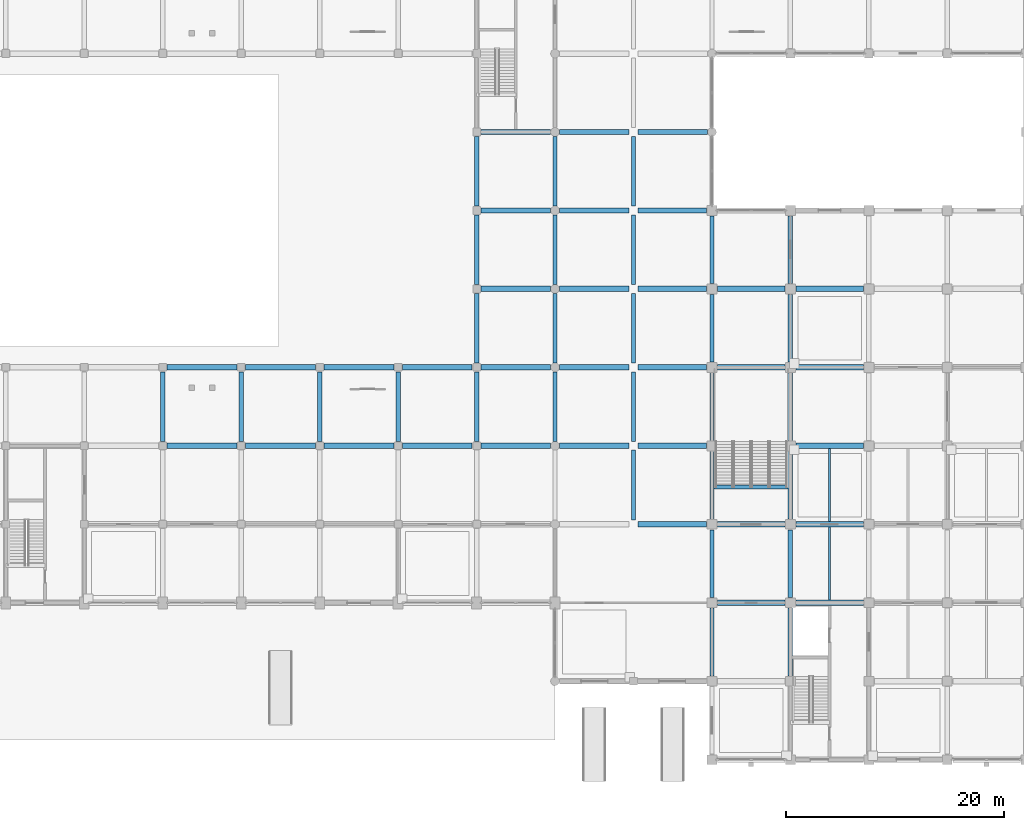
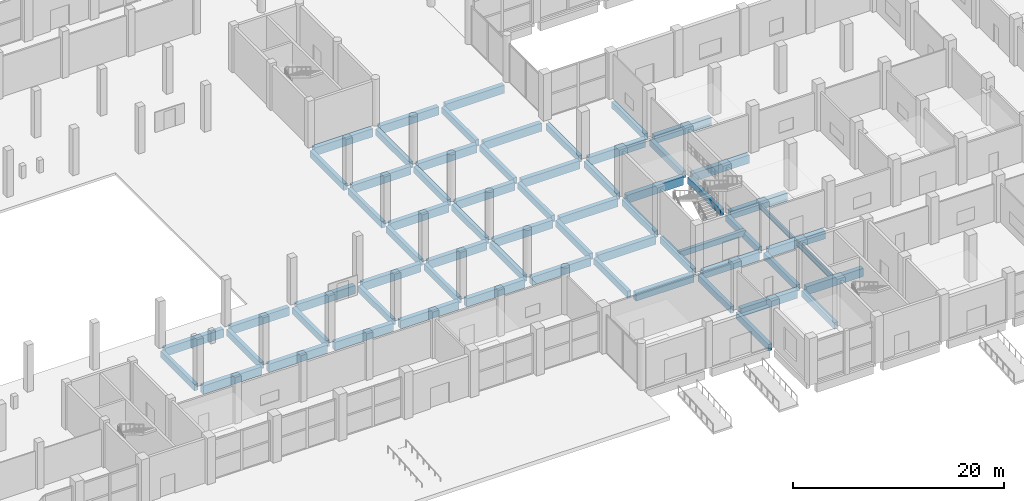
# One storey, part 15 of 70: 65 beams.
"""IFC4 building model written with IfcOpenShell, lengths in metres."""

from ifc_helpers import new_model, si_unit, direction, frame, origin, origin_2d, place, context, subcontext, project, spatial, rectangle, i_section, extrude, material, material_profile, profile_set, type_object, element, save


model = new_model("IFC4")

# Units and contexts
model_context = context("Model", 3, precision=1e-05, world=origin(), true_north=direction((0.0, 1.0)))
body_context = subcontext(model_context, "Body", "Model", "MODEL_VIEW")
ifc_project = project(units=[si_unit("LENGTHUNIT", "METRE"), si_unit("AREAUNIT", "SQUARE_METRE"), si_unit("VOLUMEUNIT", "CUBIC_METRE"), si_unit("PLANEANGLEUNIT", "RADIAN"), si_unit("MASSUNIT", "GRAM", prefix="KILO")], contexts=[model_context])

# Site, building, storey
site_placement = place(None, origin())
site = spatial("IfcSite", under=ifc_project, at=site_placement, CompositionType="ELEMENT")
building_placement = place(site_placement, origin())
building = spatial("IfcBuilding", under=site, at=building_placement, Name="Vesperath Aquatics Centre", CompositionType="ELEMENT")
storey_placement = place(building_placement, origin())
storey = spatial("IfcBuildingStorey", under=building, at=storey_placement, Name="L00", CompositionType="ELEMENT", Elevation=0.0)

# Beams
ifc_material_1 = material(Name="Concrete C40", Category="concrete")
ifc_material_profile_1 = material_profile(ifc_material_1, rectangle(XDim=0.5, YDim=0.949951171875, at=origin_2d()), Name="RC 500x950")
ifc_profile_set_1 = profile_set([ifc_material_profile_1], Name="Concrete C40")
beam_type_1 = type_object("IfcBeamType", Name="BM-G02", PredefinedType="BEAM", material=ifc_profile_set_1)
for number, where, z_axis, x_axis, name in (
    (1, (65.199951171875, 28.800048828125, -0.7548828125), (1.0, 0.0, 0.0), (0.0, 1.0, 0.0), "Floor Girder B02 L00 E 10-11"),
    (2, (65.199951171875, 36.0, -0.7548828125), (1.0, 0.0, 0.0), (0.0, 1.0, 0.0), "Floor Girder B02 L00 F 10-11"),
    (3, (72.39990234375, 28.800048828125, -0.7548828125), (1.0, 0.0, 0.0), (0.0, 1.0, 0.0), "Floor Girder B02 L00 E 11-12"),
    (4, (72.39990234375, 36.0, -0.7548828125), (1.0, 0.0, 0.0), (0.0, 1.0, 0.0), "Floor Girder B02 L00 F 11-12"),
):
    element("IfcBeam", number, at=place(storey_placement, frame(where, z_axis=z_axis, x_axis=x_axis)), inside=storey, type_object=beam_type_1, Name=name, PredefinedType="BEAM", context=body_context, shape_type="SweptSolid", body=[
        extrude(rectangle(XDim=0.5, YDim=0.949951171875, at=origin_2d()), origin(), (0.0, 0.0, 1.0), 6.400146484375),
    ])
for number, where, z_axis, x_axis, name in (
    (5, (79.60009765625, 28.800048828125, -0.7548828125), (1.0, 0.0, 0.0), (0.0, 1.0, 0.0), "Floor Girder B02 L00 E 12-13"),
    (6, (79.60009765625, 36.0, -0.7548828125), (1.0, 0.0, 0.0), (0.0, 1.0, 0.0), "Floor Girder B02 L00 F 12-13"),
    (7, (86.800048828125, 28.800048828125, -0.7548828125), (1.0, 0.0, 0.0), (0.0, 1.0, 0.0), "Floor Girder B02 L00 E 13-14"),
    (8, (86.800048828125, 36.0, -0.7548828125), (1.0, 0.0, 0.0), (0.0, 1.0, 0.0), "Floor Girder B02 L00 F 13-14"),
    (9, (94.0, 28.800048828125, -0.7548828125), (1.0, 0.0, 0.0), (0.0, 1.0, 0.0), "Floor Girder B02 L00 E 14-15"),
    (10, (94.0, 36.0, -0.7548828125), (1.0, 0.0, 0.0), (0.0, 1.0, 0.0), "Floor Girder B02 L00 F 14-15"),
    (11, (94.0, 43.199951171875, -0.7548828125), (1.0, 0.0, 0.0), (0.0, 1.0, 0.0), "Floor Girder B02 L00 G 14-15"),
    (12, (94.0, 50.39990234375, -0.7548828125), (1.0, 0.0, 0.0), (0.0, 1.0, 0.0), "Floor Girder B02 L00 H 14-15"),
    (13, (94.0, 57.60009765625, -0.7548828125), (1.0, 0.0, 0.0), (0.0, 1.0, 0.0), "Floor Girder B02 L00 J 14-15"),
):
    element("IfcBeam", number, at=place(storey_placement, frame(where, z_axis=z_axis, x_axis=x_axis)), inside=storey, type_object=beam_type_1, Name=name, PredefinedType="BEAM", context=body_context, shape_type="SweptSolid", body=[
        extrude(rectangle(XDim=0.5, YDim=0.949951171875, at=origin_2d()), origin(), (0.0, 0.0, 1.0), 6.39990234375),
    ])
for number, where, z_axis, x_axis, name in (
    (14, (101.199951171875, 28.800048828125, -0.7548828125), (1.0, 0.0, 0.0), (0.0, 1.0, 0.0), "Floor Girder B02 L00 E 15-16"),
    (15, (101.199951171875, 36.0, -0.7548828125), (1.0, 0.0, 0.0), (0.0, 1.0, 0.0), "Floor Girder B02 L00 F 15-16"),
    (16, (101.199951171875, 43.199951171875, -0.7548828125), (1.0, 0.0, 0.0), (0.0, 1.0, 0.0), "Floor Girder B02 L00 G 15-16"),
    (17, (101.199951171875, 50.39990234375, -0.7548828125), (1.0, 0.0, 0.0), (0.0, 1.0, 0.0), "Floor Girder B02 L00 H 15-16"),
    (18, (101.199951171875, 57.60009765625, -0.7548828125), (1.0, 0.0, 0.0), (0.0, 1.0, 0.0), "Floor Girder B02 L00 J 15-16"),
):
    element("IfcBeam", number, at=place(storey_placement, frame(where, z_axis=z_axis, x_axis=x_axis)), inside=storey, type_object=beam_type_1, Name=name, PredefinedType="BEAM", context=body_context, shape_type="SweptSolid", body=[
        extrude(rectangle(XDim=0.5, YDim=0.949951171875, at=origin_2d()), origin(), (0.0, 0.0, 1.0), 6.400146484375),
    ])
for number, where, z_axis, x_axis, name in (
    (19, (108.39990234375, 21.60009765625, -0.7548828125), (1.0, 0.0, 0.0), (0.0, 1.0, 0.0), "Floor Girder B02 L00 D 16-17"),
    (20, (108.39990234375, 28.800048828125, -0.7548828125), (1.0, 0.0, 0.0), (0.0, 1.0, 0.0), "Floor Girder B02 L00 E 16-17"),
    (21, (108.39990234375, 36.0, -0.7548828125), (1.0, 0.0, 0.0), (0.0, 1.0, 0.0), "Floor Girder B02 L00 F 16-17"),
    (22, (108.39990234375, 43.199951171875, -0.7548828125), (1.0, 0.0, 0.0), (0.0, 1.0, 0.0), "Floor Girder B02 L00 G 16-17"),
    (23, (108.39990234375, 50.39990234375, -0.7548828125), (1.0, 0.0, 0.0), (0.0, 1.0, 0.0), "Floor Girder B02 L00 H 16-17"),
):
    element("IfcBeam", number, at=place(storey_placement, frame(where, z_axis=z_axis, x_axis=x_axis)), inside=storey, type_object=beam_type_1, Name=name, PredefinedType="BEAM", context=body_context, shape_type="SweptSolid", body=[
        extrude(rectangle(XDim=0.5, YDim=0.949951171875, at=origin_2d()), origin(), (0.0, 0.0, 1.0), 6.300048828125),
    ])
beam_1_placement = place(storey_placement, frame((108.39990234375, 57.60009765625, -0.7548828125), z_axis=(1.0, 0.0, 0.0), x_axis=(0.0, 1.0, 0.0)))
element("IfcBeam", 24, at=beam_1_placement, inside=storey, type_object=beam_type_1, Name="Floor Girder B02 L00 J 16-17", PredefinedType="BEAM", context=body_context, shape_type="SweptSolid", body=[
    extrude(rectangle(XDim=0.5, YDim=0.949951171875, at=origin_2d()), origin(), (0.0, 0.0, 1.0), 6.400146484375),
])
for number, where, z_axis, x_axis, name in (
    (25, (115.699951171875, 14.39990234375, -0.7548828125), (1.0, 0.0, 0.0), (0.0, 1.0, 0.0), "Floor Girder B02 L00 C 17-18"),
    (26, (115.699951171875, 21.60009765625, -0.7548828125), (1.0, 0.0, 0.0), (0.0, 1.0, 0.0), "Floor Girder B02 L00 D 17-18"),
    (27, (115.699951171875, 36.0, -0.7548828125), (1.0, 0.0, 0.0), (0.0, 1.0, 0.0), "Floor Girder B02 L00 F 17-18"),
    (28, (115.699951171875, 43.199951171875, -0.7548828125), (1.0, 0.0, 0.0), (0.0, 1.0, 0.0), "Floor Girder B02 L00 G 17-18"),
):
    element("IfcBeam", number, at=place(storey_placement, frame(where, z_axis=z_axis, x_axis=x_axis)), inside=storey, type_object=beam_type_1, Name=name, PredefinedType="BEAM", context=body_context, shape_type="SweptSolid", body=[
        extrude(rectangle(XDim=0.5, YDim=0.949951171875, at=origin_2d()), origin(), (0.0, 0.0, 1.0), 6.199951171875),
    ])
for number, where, z_axis, x_axis, name in (
    (29, (122.89990234375, 14.39990234375, -0.7548828125), (1.0, 0.0, 0.0), (0.0, 1.0, 0.0), "Floor Girder B02 L00 C 18-19"),
    (30, (122.89990234375, 21.60009765625, -0.7548828125), (1.0, 0.0, 0.0), (0.0, 1.0, 0.0), "Floor Girder B02 L00 D 18-19"),
    (31, (122.89990234375, 28.800048828125, -0.7548828125), (1.0, 0.0, 0.0), (0.0, 1.0, 0.0), "Floor Girder B02 L00 E 18-19"),
    (32, (122.89990234375, 36.0, -0.7548828125), (1.0, 0.0, 0.0), (0.0, 1.0, 0.0), "Floor Girder B02 L00 F 18-19"),
    (33, (122.89990234375, 43.199951171875, -0.7548828125), (1.0, 0.0, 0.0), (0.0, 1.0, 0.0), "Floor Girder B02 L00 G 18-19"),
):
    element("IfcBeam", number, at=place(storey_placement, frame(where, z_axis=z_axis, x_axis=x_axis)), inside=storey, type_object=beam_type_1, Name=name, PredefinedType="BEAM", context=body_context, shape_type="SweptSolid", body=[
        extrude(rectangle(XDim=0.5, YDim=0.949951171875, at=origin_2d()), origin(), (0.0, 0.0, 1.0), 6.2001953125),
    ])
ifc_material_2 = material(Name="Concrete C35", Category="concrete")
ifc_material_profile_2 = material_profile(ifc_material_2, rectangle(XDim=0.39990234375, YDim=0.75, at=origin_2d()), Name="RC 400x750")
ifc_profile_set_2 = profile_set([ifc_material_profile_2], Name="Concrete C35")
beam_type_2 = type_object("IfcBeamType", Name="BM-G04", PredefinedType="BEAM", material=ifc_profile_set_2)
for number, where, z_axis, x_axis, name in (
    (34, (64.800048828125, 29.199951171875, -0.655029296875), (0.0, 1.0, 0.0), (-1.0, 0.0, 0.0), "Floor Girder B04 L00 10 E-F"),
    (35, (72.0, 29.199951171875, -0.655029296875), (0.0, 1.0, 0.0), (-1.0, 0.0, 0.0), "Floor Girder B04 L00 11 E-F"),
    (36, (79.199951171875, 29.199951171875, -0.655029296875), (0.0, 1.0, 0.0), (-1.0, 0.0, 0.0), "Floor Girder B04 L00 12 E-F"),
    (37, (86.39990234375, 29.199951171875, -0.655029296875), (0.0, 1.0, 0.0), (-1.0, 0.0, 0.0), "Floor Girder B04 L00 13 E-F"),
    (38, (93.60009765625, 29.199951171875, -0.655029296875), (0.0, 1.0, 0.0), (-1.0, 0.0, 0.0), "Floor Girder B04 L00 14 E-F"),
    (39, (93.60009765625, 36.39990234375, -0.655029296875), (0.0, 1.0, 0.0), (-1.0, 0.0, 0.0), "Floor Girder B04 L00 14 F-G"),
):
    element("IfcBeam", number, at=place(storey_placement, frame(where, z_axis=z_axis, x_axis=x_axis)), inside=storey, type_object=beam_type_2, Name=name, PredefinedType="BEAM", context=body_context, shape_type="SweptSolid", body=[
        extrude(rectangle(XDim=0.39990234375, YDim=0.75, at=origin_2d()), origin(), (0.0, 0.0, 1.0), 6.400146484375),
    ])
for number, where, z_axis, x_axis, name in (
    (40, (93.60009765625, 43.60009765625, -0.655029296875), (0.0, 1.0, 0.0), (-1.0, 0.0, 0.0), "Floor Girder B04 L00 14 G-H"),
    (41, (93.60009765625, 50.800048828125, -0.655029296875), (0.0, 1.0, 0.0), (-1.0, 0.0, 0.0), "Floor Girder B04 L00 14 H-J"),
):
    element("IfcBeam", number, at=place(storey_placement, frame(where, z_axis=z_axis, x_axis=x_axis)), inside=storey, type_object=beam_type_2, Name=name, PredefinedType="BEAM", context=body_context, shape_type="SweptSolid", body=[
        extrude(rectangle(XDim=0.39990234375, YDim=0.75, at=origin_2d()), origin(), (0.0, 0.0, 1.0), 6.39990234375),
    ])
for number, where, z_axis, x_axis, name in (
    (42, (100.800048828125, 29.199951171875, -0.655029296875), (0.0, 1.0, 0.0), (-1.0, 0.0, 0.0), "Floor Girder B04 L00 15 E-F"),
    (43, (100.800048828125, 36.39990234375, -0.655029296875), (0.0, 1.0, 0.0), (-1.0, 0.0, 0.0), "Floor Girder B04 L00 15 F-G"),
):
    element("IfcBeam", number, at=place(storey_placement, frame(where, z_axis=z_axis, x_axis=x_axis)), inside=storey, type_object=beam_type_2, Name=name, PredefinedType="BEAM", context=body_context, shape_type="SweptSolid", body=[
        extrude(rectangle(XDim=0.39990234375, YDim=0.75, at=origin_2d()), origin(), (0.0, 0.0, 1.0), 6.400146484375),
    ])
for number, where, z_axis, x_axis, name in (
    (44, (100.800048828125, 43.60009765625, -0.655029296875), (0.0, 1.0, 0.0), (-1.0, 0.0, 0.0), "Floor Girder B04 L00 15 G-H"),
    (45, (100.800048828125, 50.800048828125, -0.655029296875), (0.0, 1.0, 0.0), (-1.0, 0.0, 0.0), "Floor Girder B04 L00 15 H-J"),
    (46, (108.0, 22.0, -0.655029296875), (0.0, 1.0, 0.0), (-1.0, 0.0, 0.0), "Floor Girder B04 L00 16 D-E"),
):
    element("IfcBeam", number, at=place(storey_placement, frame(where, z_axis=z_axis, x_axis=x_axis)), inside=storey, type_object=beam_type_2, Name=name, PredefinedType="BEAM", context=body_context, shape_type="SweptSolid", body=[
        extrude(rectangle(XDim=0.39990234375, YDim=0.75, at=origin_2d()), origin(), (0.0, 0.0, 1.0), 6.39990234375),
    ])
for number, where, z_axis, x_axis, name in (
    (47, (108.0, 29.199951171875, -0.655029296875), (0.0, 1.0, 0.0), (-1.0, 0.0, 0.0), "Floor Girder B04 L00 16 E-F"),
    (48, (108.0, 36.39990234375, -0.655029296875), (0.0, 1.0, 0.0), (-1.0, 0.0, 0.0), "Floor Girder B04 L00 16 F-G"),
):
    element("IfcBeam", number, at=place(storey_placement, frame(where, z_axis=z_axis, x_axis=x_axis)), inside=storey, type_object=beam_type_2, Name=name, PredefinedType="BEAM", context=body_context, shape_type="SweptSolid", body=[
        extrude(rectangle(XDim=0.39990234375, YDim=0.75, at=origin_2d()), origin(), (0.0, 0.0, 1.0), 6.400146484375),
    ])
for number, where, z_axis, x_axis, name in (
    (49, (108.0, 43.60009765625, -0.655029296875), (0.0, 1.0, 0.0), (-1.0, 0.0, 0.0), "Floor Girder B04 L00 16 G-H"),
    (50, (108.0, 50.800048828125, -0.655029296875), (0.0, 1.0, 0.0), (-1.0, 0.0, 0.0), "Floor Girder B04 L00 16 H-J"),
):
    element("IfcBeam", number, at=place(storey_placement, frame(where, z_axis=z_axis, x_axis=x_axis)), inside=storey, type_object=beam_type_2, Name=name, PredefinedType="BEAM", context=body_context, shape_type="SweptSolid", body=[
        extrude(rectangle(XDim=0.39990234375, YDim=0.75, at=origin_2d()), origin(), (0.0, 0.0, 1.0), 6.39990234375),
    ])
beam_2_placement = place(storey_placement, frame((115.199951171875, 7.699951171875, -0.655029296875), z_axis=(0.0, 1.0, 0.0), x_axis=(-1.0, 0.0, 0.0)))
element("IfcBeam", 51, at=beam_2_placement, inside=storey, type_object=beam_type_2, Name="Floor Girder B04 L00 17 B-C", PredefinedType="BEAM", context=body_context, shape_type="SweptSolid", body=[
    extrude(rectangle(XDim=0.39990234375, YDim=0.75, at=origin_2d()), origin(), (0.0, 0.0, 1.0), 6.199951171875),
])
beam_3_placement = place(storey_placement, frame((115.199951171875, 14.89990234375, -0.655029296875), z_axis=(0.0, 1.0, 0.0), x_axis=(-1.0, 0.0, 0.0)))
element("IfcBeam", 52, at=beam_3_placement, inside=storey, type_object=beam_type_2, Name="Floor Girder B04 L00 17 C-D", PredefinedType="BEAM", context=body_context, shape_type="SweptSolid", body=[
    extrude(rectangle(XDim=0.39990234375, YDim=0.75, at=origin_2d()), origin(), (0.0, 0.0, 1.0), 6.2001953125),
])
for number, where, z_axis, x_axis, name in (
    (53, (115.199951171875, 22.10009765625, -0.655029296875), (0.0, 1.0, 0.0), (-1.0, 0.0, 0.0), "Floor Girder B04 L00 17 D-E"),
    (54, (115.199951171875, 29.300048828125, -0.655029296875), (0.0, 1.0, 0.0), (-1.0, 0.0, 0.0), "Floor Girder B04 L00 17 E-F"),
    (55, (115.199951171875, 36.5, -0.655029296875), (0.0, 1.0, 0.0), (-1.0, 0.0, 0.0), "Floor Girder B04 L00 17 F-G"),
    (56, (115.199951171875, 43.699951171875, -0.655029296875), (0.0, 1.0, 0.0), (-1.0, 0.0, 0.0), "Floor Girder B04 L00 17 G-H"),
    (57, (122.39990234375, 7.699951171875, -0.655029296875), (0.0, 1.0, 0.0), (-1.0, 0.0, 0.0), "Floor Girder B04 L00 18 B-C"),
):
    element("IfcBeam", number, at=place(storey_placement, frame(where, z_axis=z_axis, x_axis=x_axis)), inside=storey, type_object=beam_type_2, Name=name, PredefinedType="BEAM", context=body_context, shape_type="SweptSolid", body=[
        extrude(rectangle(XDim=0.39990234375, YDim=0.75, at=origin_2d()), origin(), (0.0, 0.0, 1.0), 6.199951171875),
    ])
beam_4_placement = place(storey_placement, frame((122.39990234375, 14.89990234375, -0.655029296875), z_axis=(0.0, 1.0, 0.0), x_axis=(-1.0, 0.0, 0.0)))
element("IfcBeam", 58, at=beam_4_placement, inside=storey, type_object=beam_type_2, Name="Floor Girder B04 L00 18 C-D", PredefinedType="BEAM", context=body_context, shape_type="SweptSolid", body=[
    extrude(rectangle(XDim=0.39990234375, YDim=0.75, at=origin_2d()), origin(), (0.0, 0.0, 1.0), 6.2001953125),
])
for number, where, z_axis, x_axis, name in (
    (59, (122.39990234375, 22.10009765625, -0.655029296875), (0.0, 1.0, 0.0), (-1.0, 0.0, 0.0), "Floor Girder B04 L00 18 D-E"),
    (60, (122.39990234375, 29.300048828125, -0.655029296875), (0.0, 1.0, 0.0), (-1.0, 0.0, 0.0), "Floor Girder B04 L00 18 E-F"),
    (61, (122.39990234375, 36.5, -0.655029296875), (0.0, 1.0, 0.0), (-1.0, 0.0, 0.0), "Floor Girder B04 L00 18 F-G"),
    (62, (122.39990234375, 43.699951171875, -0.655029296875), (0.0, 1.0, 0.0), (-1.0, 0.0, 0.0), "Floor Girder B04 L00 18 G-H"),
):
    element("IfcBeam", number, at=place(storey_placement, frame(where, z_axis=z_axis, x_axis=x_axis)), inside=storey, type_object=beam_type_2, Name=name, PredefinedType="BEAM", context=body_context, shape_type="SweptSolid", body=[
        extrude(rectangle(XDim=0.39990234375, YDim=0.75, at=origin_2d()), origin(), (0.0, 0.0, 1.0), 6.199951171875),
    ])
ifc_material_profile_3 = material_profile(ifc_material_2, rectangle(XDim=0.35009765625, YDim=0.64990234375, at=origin_2d()), Name="RC 350x650")
ifc_profile_set_3 = profile_set([ifc_material_profile_3], Name="Concrete C35")
beam_type_3 = type_object("IfcBeamType", Name="BM-G05", PredefinedType="BEAM", material=ifc_profile_set_3)
beam_5_placement = place(storey_placement, frame((115.199951171875, 25.02001953125, -0.324951171875), z_axis=(1.0, 0.0, 0.0), x_axis=(0.0, 1.0, 0.0)))
element("IfcBeam", 63, at=beam_5_placement, inside=storey, type_object=beam_type_3, Name="Stair ST7 Landing Trimmer Beam B05 L00", PredefinedType="BEAM", context=body_context, shape_type="SweptSolid", body=[
    extrude(rectangle(XDim=0.35009765625, YDim=0.64990234375, at=origin_2d()), origin(), (0.0, 0.0, 1.0), 7.199951171875),
])
ifc_material_3 = material(Name="Steel Q355C", Category="steel")
ifc_material_profile_4 = material_profile(ifc_material_3, i_section(OverallWidth=0.199951171875, OverallDepth=0.60009765625, WebThickness=0.010986328125, FlangeThickness=0.01708984375, FilletRadius=0.02197265625, at=origin_2d()), Name="HN 600x200x11x17")
ifc_profile_set_4 = profile_set([ifc_material_profile_4], Name="Steel Q355C")
beam_type_4 = type_object("IfcBeamType", Name="BM-J01", PredefinedType="JOIST", material=ifc_profile_set_4)
beam_6_placement = place(storey_placement, frame((126.0, 14.64990234375, -0.580078125), z_axis=(0.0, 1.0, 0.0), x_axis=(-1.0, 0.0, 0.0)))
element("IfcBeam", 64, at=beam_6_placement, inside=storey, type_object=beam_type_4, Name="Secondary Floor Joist J01 L00 18/C", PredefinedType="JOIST", context=body_context, shape_type="SweptSolid", body=[
    extrude(i_section(OverallWidth=0.199951171875, OverallDepth=0.60009765625, WebThickness=0.010986328125, FlangeThickness=0.01708984375, FilletRadius=0.02197265625, at=origin_2d()), origin(), (0.0, 0.0, 1.0), 6.7001953125),
])
beam_7_placement = place(storey_placement, frame((126.0, 21.85009765625, -0.580078125), z_axis=(0.0, 1.0, 0.0), x_axis=(-1.0, 0.0, 0.0)))
element("IfcBeam", 65, at=beam_7_placement, inside=storey, type_object=beam_type_4, Name="Secondary Floor Joist J01 L00 18/D", PredefinedType="JOIST", context=body_context, shape_type="SweptSolid", body=[
    extrude(i_section(OverallWidth=0.199951171875, OverallDepth=0.60009765625, WebThickness=0.010986328125, FlangeThickness=0.01708984375, FilletRadius=0.02197265625, at=origin_2d()), origin(), (0.0, 0.0, 1.0), 6.699951171875),
])

save(model, "model.ifc")
